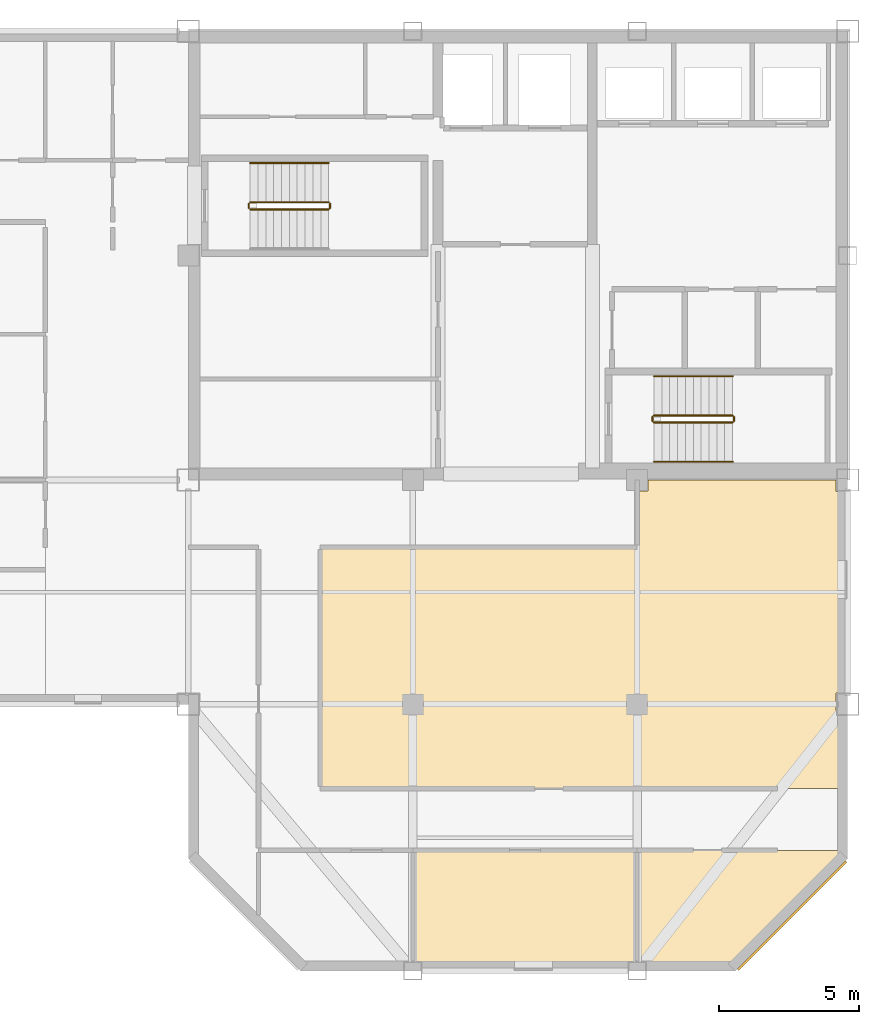
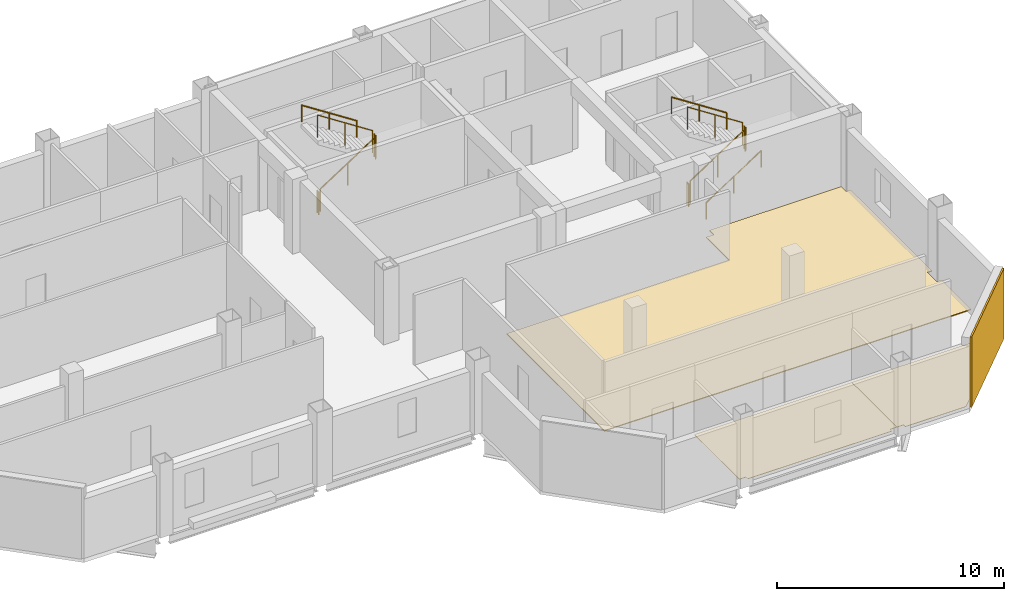
# One storey, part 6 of 7: 11 railings, 4 coverings.
"""IFC4 building model written with IfcOpenShell, lengths in metres."""

from ifc_helpers import new_model, si_unit, direction, frame, origin, origin_2d, place, context, subcontext, project, spatial, polyline, rectangle, circle, outline, extrude, material, layer, layer_set, type_object, element, save


model = new_model("IFC4")

# Units and contexts
model_context = context("Model", 3, precision=1e-05, world=origin(), true_north=direction((0.0, 1.0)))
body_context = subcontext(model_context, "Body", "Model", "MODEL_VIEW")
ifc_project = project(units=[si_unit("LENGTHUNIT", "METRE"), si_unit("AREAUNIT", "SQUARE_METRE"), si_unit("VOLUMEUNIT", "CUBIC_METRE"), si_unit("PLANEANGLEUNIT", "RADIAN"), si_unit("MASSUNIT", "GRAM", prefix="KILO")], contexts=[model_context])

# Site, building, storey
site_placement = place(None, origin())
site = spatial("IfcSite", under=ifc_project, at=site_placement, CompositionType="ELEMENT")
building_placement = place(site_placement, origin())
building = spatial("IfcBuilding", under=site, at=building_placement, Name="Qianrong Seaharbour Tower", CompositionType="ELEMENT")
storey_placement = place(building_placement, frame((0.0, 0.0, 307.199951171875)))
storey = spatial("IfcBuildingStorey", under=building, at=storey_placement, Name="L74", CompositionType="ELEMENT", Elevation=307.199951171875)

# Coverings
ifc_material_1 = material(Name="Unitised red brick cladding on Precast concrete C45/55", Category="masonry")
ifc_layer_1 = layer(ifc_material_1, 0.080078125)
ifc_layer_set_1 = layer_set([ifc_layer_1], Name="Unitised red brick cladding on Precast concrete C45/55")
covering_type_1 = type_object("IfcCoveringType", Name="COV-CLAD-RED-BRICK-80", PredefinedType="CLADDING", material=ifc_layer_set_1)
covering_1_placement = place(storey_placement, frame((62.0283203125, 20.4716796875, 0.0), z_axis=(0.0, 0.0, 1.0), x_axis=(-0.707106781187, -0.707106781187, 0.0)))
element("IfcCovering", 1, at=covering_1_placement, inside=storey, type_object=covering_type_1, Name="L74 Chamfer Corner Brick Cladding 07", PredefinedType="CLADDING", context=body_context, shape_type="SweptSolid", body=[
    extrude(rectangle(XDim=5.456787109375, YDim=0.080078125, at=origin_2d()), origin(), (0.0, 0.0, 1.0), 3.784912109375),
])
ifc_material_2 = material(Name="Acoustic modular carpet tile flooring")
ifc_layer_2 = layer(ifc_material_2, 0.02001953125)
ifc_layer_set_2 = layer_set([ifc_layer_2], Name="Acoustic modular carpet tile flooring")
covering_type_2 = type_object("IfcCoveringType", Name="COV-FLOOR-CARPET-20", PredefinedType="FLOORING", material=ifc_layer_set_2)
covering_2_placement = place(storey_placement, origin())
element("IfcCovering", 2, at=covering_2_placement, inside=storey, type_object=covering_type_2, Name="L74 Meeting Room 2 Finish Flooring", PredefinedType="FLOORING", context=body_context, shape_type="SweptSolid", body=[
    extrude(outline(polyline([(56.5, 18.8349609375), (56.1650390625, 18.8349609375), (56.1650390625, 18.675048828125), (48.8349609375, 18.675048828125), (48.8349609375, 18.8349609375), (48.5, 18.8349609375), (48.5, 22.800048828125), (56.5, 22.800048828125), (56.5, 18.8349609375)])), origin(), (0.0, 0.0, 1.0), 0.02001953125),
])
covering_3_placement = place(storey_placement, origin())
element("IfcCovering", 3, at=covering_3_placement, inside=storey, type_object=covering_type_2, Name="L74 Standards Library 3 Finish Flooring", PredefinedType="FLOORING", context=body_context, shape_type="SweptSolid", body=[
    extrude(outline(polyline([(63.824951171875, 22.572509765625), (59.927490234375, 18.675048828125), (56.8349609375, 18.675048828125), (56.8349609375, 18.8349609375), (56.5, 18.8349609375), (56.5, 22.800048828125), (63.824951171875, 22.800048828125), (63.824951171875, 22.572509765625)])), origin(), (0.0, 0.0, 1.0), 0.02001953125),
])
ifc_material_3 = material(Name="Calcium-sulphate raised access floor tile")
ifc_layer_3 = layer(ifc_material_3, 0.044921875)
ifc_layer_set_3 = layer_set([ifc_layer_3], Name="Calcium-sulphate raised access floor tile")
covering_type_3 = type_object("IfcCoveringType", Name="COV-FLOOR-RAISED-45", PredefinedType="FLOORING", material=ifc_layer_set_3)
covering_4_placement = place(storey_placement, origin())
element("IfcCovering", 4, at=covering_4_placement, inside=storey, type_object=covering_type_3, Name="L74 South Wing Open-Plan Office Finish Flooring", PredefinedType="FLOORING", context=body_context, shape_type="SweptSolid", body=[
    extrude(outline(polyline([(56.5, 33.60009765625), (56.5, 35.614990234375), (56.885009765625, 35.614990234375), (56.885009765625, 36.0), (63.590087890625, 36.0), (63.590087890625, 35.590087890625), (63.824951171875, 35.590087890625), (63.824951171875, 28.409912109375), (63.590087890625, 28.409912109375), (63.590087890625, 27.590087890625), (63.824951171875, 27.590087890625), (63.824951171875, 25.0), (45.199951171875, 25.0), (45.199951171875, 33.60009765625), (56.5, 33.60009765625)])), origin(), (0.0, 0.0, 1.0), 0.045166015625),
])

# Railings
ifc_material_4 = material(Name="Galvanized painted steel SN400B stair guard", Category="steel")
railing_type_1 = type_object("IfcRailingType", Name="RAIL-STAIR-GUARD-1220", PredefinedType="GUARDRAIL", material=ifc_material_4)
railing_1_placement = place(storey_placement, frame((42.699951171875, 45.64990234375, 0.181884765625)))
element("IfcRailing", 5, at=railing_1_placement, inside=storey, type_object=railing_type_1, Name="L74 ST-1 stair guard 1", PredefinedType="GUARDRAIL", context=body_context, shape_type="SweptSolid", body=[
    extrude(circle(Radius=0.02392578125, at=origin_2d()), frame((0.0, 0.0, 1.19580078125), z_axis=(0.838705829183, 0.0, 0.544584733623), x_axis=(0.0, 1.0, 0.0)), (0.0, 0.0, 1.0), 3.338623046875),
    extrude(circle(Radius=0.02099609375, at=origin_2d()), origin(), (0.0, 0.0, 1.0), 1.171875),
    extrude(circle(Radius=0.02099609375, at=origin_2d()), frame((1.39990234375, 0.0, 0.9091796875)), (0.0, 0.0, 1.0), 1.171875),
    extrude(circle(Radius=0.02099609375, at=origin_2d()), frame((2.800048828125, 0.0, 1.818115234375)), (0.0, 0.0, 1.0), 1.171875),
])
railing_2_placement = place(storey_placement, frame((45.550048828125, 45.699951171875, 2.0)))
element("IfcRailing", 6, at=railing_2_placement, inside=storey, type_object=railing_type_1, Name="L74 ST-1 stair guard 2", PredefinedType="GUARDRAIL", context=body_context, shape_type="SweptSolid", body=[
    extrude(circle(Radius=0.02392578125, at=origin_2d()), frame((0.0, 0.0, 1.19580078125), z_axis=(0.0, 1.0, 0.0), x_axis=(-1.0, 0.0, 0.0)), (0.0, 0.0, 1.0), 0.150146484375),
    extrude(circle(Radius=0.02099609375, at=origin_2d()), origin(), (0.0, 0.0, 1.0), 1.171875),
    extrude(circle(Radius=0.02099609375, at=origin_2d()), frame((0.0, 0.150146484375, 0.0)), (0.0, 0.0, 1.0), 1.171875),
])
railing_3_placement = place(storey_placement, frame((45.5, 45.89990234375, 2.181884765625)))
element("IfcRailing", 7, at=railing_3_placement, inside=storey, type_object=railing_type_1, Name="L74 ST-1 stair guard 3", PredefinedType="GUARDRAIL", context=body_context, shape_type="SweptSolid", body=[
    extrude(circle(Radius=0.02392578125, at=origin_2d()), frame((0.0, 0.0, 1.19580078125), z_axis=(-0.838705829183, 0.0, 0.544584733623), x_axis=(0.0, -1.0, 0.0)), (0.0, 0.0, 1.0), 3.338623046875),
    extrude(circle(Radius=0.02099609375, at=origin_2d()), origin(), (0.0, 0.0, 1.0), 1.171875),
    extrude(circle(Radius=0.02099609375, at=origin_2d()), frame((-1.39990234375, 0.0, 0.9091796875)), (0.0, 0.0, 1.0), 1.171875),
    extrude(circle(Radius=0.02099609375, at=origin_2d()), frame((-2.800048828125, 0.0, 1.818115234375)), (0.0, 0.0, 1.0), 1.171875),
])
railing_4_placement = place(storey_placement, frame((42.64990234375, 45.699951171875, 0.0)))
element("IfcRailing", 8, at=railing_4_placement, inside=storey, type_object=railing_type_1, Name="L74 ST-1 stair guard 4", PredefinedType="GUARDRAIL", context=body_context, shape_type="SweptSolid", body=[
    extrude(circle(Radius=0.02392578125, at=origin_2d()), frame((0.0, 0.0, 1.19580078125), z_axis=(0.0, 1.0, 0.0), x_axis=(-1.0, 0.0, 0.0)), (0.0, 0.0, 1.0), 0.150146484375),
    extrude(circle(Radius=0.02099609375, at=origin_2d()), origin(), (0.0, 0.0, 1.0), 1.171875),
    extrude(circle(Radius=0.02099609375, at=origin_2d()), frame((0.0, 0.150146484375, 0.0)), (0.0, 0.0, 1.0), 1.171875),
])
railing_5_placement = place(storey_placement, frame((57.10009765625, 38.050048828125, 0.181884765625)))
element("IfcRailing", 9, at=railing_5_placement, inside=storey, type_object=railing_type_1, Name="L74 ST-2 stair guard 1", PredefinedType="GUARDRAIL", context=body_context, shape_type="SweptSolid", body=[
    extrude(circle(Radius=0.02392578125, at=origin_2d()), frame((0.0, 0.0, 1.19580078125), z_axis=(0.83868413941, 0.0, 0.544618136222), x_axis=(0.0, 1.0, 0.0)), (0.0, 0.0, 1.0), 3.33837890625),
    extrude(circle(Radius=0.02099609375, at=origin_2d()), origin(), (0.0, 0.0, 1.0), 1.171875),
    extrude(circle(Radius=0.02099609375, at=origin_2d()), frame((1.39990234375, 0.0, 0.9091796875)), (0.0, 0.0, 1.0), 1.171875),
    extrude(circle(Radius=0.02099609375, at=origin_2d()), frame((2.7998046875, 0.0, 1.818115234375)), (0.0, 0.0, 1.0), 1.171875),
])
railing_6_placement = place(storey_placement, frame((59.949951171875, 38.10009765625, 2.0)))
element("IfcRailing", 10, at=railing_6_placement, inside=storey, type_object=railing_type_1, Name="L74 ST-2 stair guard 2", PredefinedType="GUARDRAIL", context=body_context, shape_type="SweptSolid", body=[
    extrude(circle(Radius=0.02392578125, at=origin_2d()), frame((0.0, 0.0, 1.19580078125), z_axis=(0.0, 1.0, 0.0), x_axis=(-1.0, 0.0, 0.0)), (0.0, 0.0, 1.0), 0.14990234375),
    extrude(circle(Radius=0.02099609375, at=origin_2d()), origin(), (0.0, 0.0, 1.0), 1.171875),
    extrude(circle(Radius=0.02099609375, at=origin_2d()), frame((0.0, 0.14990234375, 0.0)), (0.0, 0.0, 1.0), 1.171875),
])
railing_7_placement = place(storey_placement, frame((59.89990234375, 38.300048828125, 2.181884765625)))
element("IfcRailing", 11, at=railing_7_placement, inside=storey, type_object=railing_type_1, Name="L74 ST-2 stair guard 3", PredefinedType="GUARDRAIL", context=body_context, shape_type="SweptSolid", body=[
    extrude(circle(Radius=0.02392578125, at=origin_2d()), frame((0.0, 0.0, 1.19580078125), z_axis=(-0.83868413941, 0.0, 0.544618136222), x_axis=(0.0, -1.0, 0.0)), (0.0, 0.0, 1.0), 3.33837890625),
    extrude(circle(Radius=0.02099609375, at=origin_2d()), origin(), (0.0, 0.0, 1.0), 1.171875),
    extrude(circle(Radius=0.02099609375, at=origin_2d()), frame((-1.39990234375, 0.0, 0.9091796875)), (0.0, 0.0, 1.0), 1.171875),
    extrude(circle(Radius=0.02099609375, at=origin_2d()), frame((-2.7998046875, 0.0, 1.818115234375)), (0.0, 0.0, 1.0), 1.171875),
])
railing_8_placement = place(storey_placement, frame((57.050048828125, 38.10009765625, 0.0)))
element("IfcRailing", 12, at=railing_8_placement, inside=storey, type_object=railing_type_1, Name="L74 ST-2 stair guard 4", PredefinedType="GUARDRAIL", context=body_context, shape_type="SweptSolid", body=[
    extrude(circle(Radius=0.02392578125, at=origin_2d()), frame((0.0, 0.0, 1.19580078125), z_axis=(0.0, 1.0, 0.0), x_axis=(-1.0, 0.0, 0.0)), (0.0, 0.0, 1.0), 0.14990234375),
    extrude(circle(Radius=0.02099609375, at=origin_2d()), origin(), (0.0, 0.0, 1.0), 1.171875),
    extrude(circle(Radius=0.02099609375, at=origin_2d()), frame((0.0, 0.14990234375, 0.0)), (0.0, 0.0, 1.0), 1.171875),
])
ifc_material_5 = material(Name="Stainless steel SUS316L continuous handrail", Category="steel")
railing_type_2 = type_object("IfcRailingType", Name="RAIL-STAIR-HANDRAIL-900", PredefinedType="HANDRAIL", material=ifc_material_5)
railing_9_placement = place(storey_placement, frame((45.5, 47.300048828125, 2.181884765625)))
element("IfcRailing", 13, at=railing_9_placement, inside=storey, type_object=railing_type_2, Name="L74 ST-1 stair handrail 2", PredefinedType="HANDRAIL", context=body_context, shape_type="SweptSolid", body=[
    extrude(circle(Radius=0.02392578125, at=origin_2d()), frame((0.0, 0.0, 0.8759765625), z_axis=(-0.838705829183, 0.0, 0.544584733623), x_axis=(0.0, -1.0, 0.0)), (0.0, 0.0, 1.0), 3.338623046875),
    extrude(circle(Radius=0.02099609375, at=origin_2d()), origin(), (0.0, 0.0, 1.0), 0.851806640625),
    extrude(circle(Radius=0.02099609375, at=origin_2d()), frame((-1.39990234375, 0.0, 0.9091796875)), (0.0, 0.0, 1.0), 0.851806640625),
    extrude(circle(Radius=0.02099609375, at=origin_2d()), frame((-2.800048828125, 0.0, 1.818115234375)), (0.0, 0.0, 1.0), 0.851806640625),
])
railing_10_placement = place(storey_placement, frame((57.10009765625, 36.64990234375, 0.181884765625)))
element("IfcRailing", 14, at=railing_10_placement, inside=storey, type_object=railing_type_2, Name="L74 ST-2 stair handrail 1", PredefinedType="HANDRAIL", context=body_context, shape_type="SweptSolid", body=[
    extrude(circle(Radius=0.02392578125, at=origin_2d()), frame((0.0, 0.0, 0.8759765625), z_axis=(0.83868413941, 0.0, 0.544618136222), x_axis=(0.0, 1.0, 0.0)), (0.0, 0.0, 1.0), 3.33837890625),
    extrude(circle(Radius=0.02099609375, at=origin_2d()), origin(), (0.0, 0.0, 1.0), 0.851806640625),
    extrude(circle(Radius=0.02099609375, at=origin_2d()), frame((1.39990234375, 0.0, 0.9091796875)), (0.0, 0.0, 1.0), 0.851806640625),
    extrude(circle(Radius=0.02099609375, at=origin_2d()), frame((2.7998046875, 0.0, 1.818115234375)), (0.0, 0.0, 1.0), 0.851806640625),
])
railing_11_placement = place(storey_placement, frame((59.89990234375, 39.699951171875, 2.181884765625)))
element("IfcRailing", 15, at=railing_11_placement, inside=storey, type_object=railing_type_2, Name="L74 ST-2 stair handrail 2", PredefinedType="HANDRAIL", context=body_context, shape_type="SweptSolid", body=[
    extrude(circle(Radius=0.02392578125, at=origin_2d()), frame((0.0, 0.0, 0.8759765625), z_axis=(-0.83868413941, 0.0, 0.544618136222), x_axis=(0.0, -1.0, 0.0)), (0.0, 0.0, 1.0), 3.33837890625),
    extrude(circle(Radius=0.02099609375, at=origin_2d()), origin(), (0.0, 0.0, 1.0), 0.851806640625),
    extrude(circle(Radius=0.02099609375, at=origin_2d()), frame((-1.39990234375, 0.0, 0.9091796875)), (0.0, 0.0, 1.0), 0.851806640625),
    extrude(circle(Radius=0.02099609375, at=origin_2d()), frame((-2.7998046875, 0.0, 1.818115234375)), (0.0, 0.0, 1.0), 0.851806640625),
])

save(model, "model.ifc")
